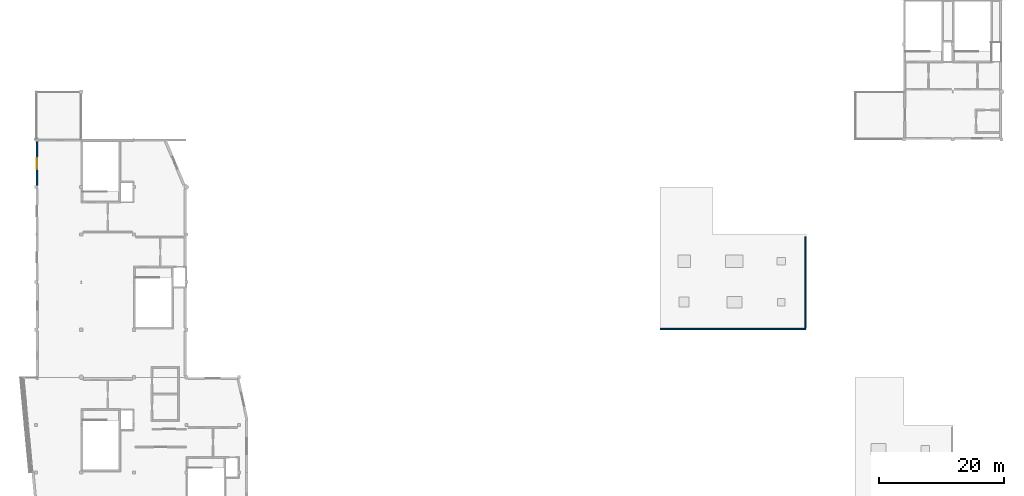
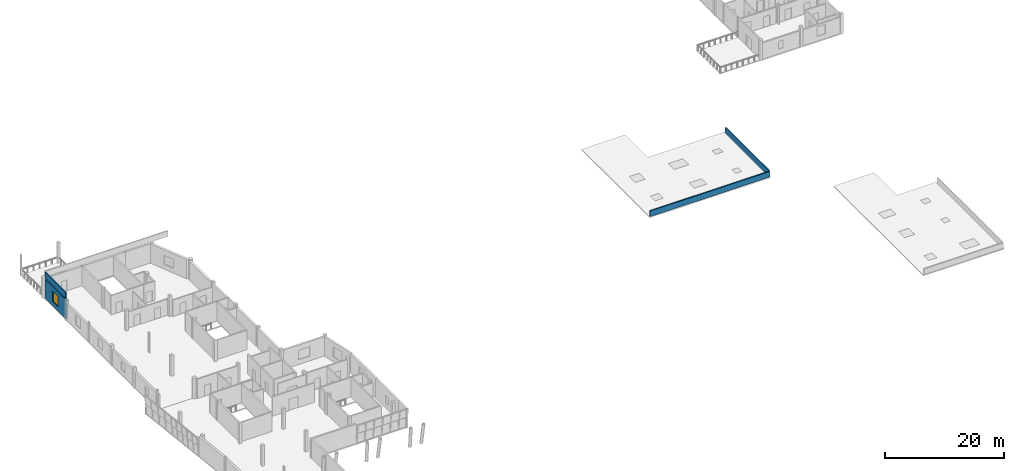
# One storey, part 13 of 17: 4 walls, 1 window, 1 opening.
"""IFC4 building model written with IfcOpenShell, lengths in metres."""

import ifcopenshell
import ifcopenshell.guid

model = None  # the IFC model being written
_history = None  # IfcOwnerHistory: only IFC2X3 demands one
_inside = {}  # id of a spatial element -> (the spatial element, [elements in it])
_under = {}  # id of a project, library or spatial element -> (it, [spatial elements below it])
_declared = {}  # id of a project -> (the project, [libraries it declares])
_typed = {}  # id of a type object -> (the type object, [elements of that type])
_made_of = {}  # id of a material, layer set ... -> (it, [elements and type objects made of it])


def new_model(schema):
    """Start an empty IFC model of exactly this schema.

    Asked for "IFC4X3", IfcOpenShell would pick the latest addendum, in which some entities
    have other attributes; the version numbers below select the first issue.
    IFC2X3 requires an IfcOwnerHistory on every rooted entity: one is made here for all.
    """
    global model, _history
    if schema == "IFC4X3":
        model = ifcopenshell.file(schema_version=(4, 3, 0, 0))
    else:
        model = ifcopenshell.file(schema=schema)
    _inside.clear()
    _under.clear()
    _declared.clear()
    _typed.clear()
    _made_of.clear()
    _history = None
    if model.schema == "IFC2X3":
        org = make("IfcOrganization", Name="unknown")
        user = make(
            "IfcPersonAndOrganization",
            ThePerson=make("IfcPerson", FamilyName="unknown"),
            TheOrganization=org,
        )
        app = make(
            "IfcApplication",
            ApplicationDeveloper=org,
            Version="unknown",
            ApplicationFullName="unknown",
            ApplicationIdentifier="unknown",
        )
        _history = make(
            "IfcOwnerHistory",
            OwningUser=user,
            OwningApplication=app,
            ChangeAction="ADDED",
            CreationDate=0,
        )
    return model


def make(cls, **values):
    """One entity of the class cls with the attributes given. An attribute that is None is left unset."""
    return model.create_entity(
        cls, **{name: value for name, value in values.items() if value is not None}
    )


def rooted(cls, **values):
    """An entity with a GlobalId (a new one), such as an element, a storey or a relation."""
    return make(cls, GlobalId=ifcopenshell.guid.new(), OwnerHistory=_history, **values)


def si_unit(unit_type, name, prefix=None):
    """IfcSIUnit, for example si_unit("LENGTHUNIT", "METRE", prefix="MILLI")."""
    return make("IfcSIUnit", UnitType=unit_type, Prefix=prefix, Name=name)


def assignment(units):
    """IfcUnitAssignment: the units of a project."""
    return None if units is None else make("IfcUnitAssignment", Units=units)


def point(xyz):
    """IfcCartesianPoint."""
    return None if xyz is None else make("IfcCartesianPoint", Coordinates=xyz)


def direction(xyz):
    """IfcDirection."""
    return None if xyz is None else make("IfcDirection", DirectionRatios=xyz)


def frame(location, z_axis=None, x_axis=None):
    """IfcAxis2Placement3D, a coordinate frame: its origin and axes. An axis left out is left unset."""
    return make(
        "IfcAxis2Placement3D",
        Location=point(location),
        Axis=direction(z_axis),
        RefDirection=direction(x_axis),
    )


def frame_2d(location, x_axis=None):
    """IfcAxis2Placement2D, a coordinate frame in the plane: its origin and x axis."""
    return make(
        "IfcAxis2Placement2D", Location=point(location), RefDirection=direction(x_axis)
    )


def origin():
    """The frame at (0, 0, 0) with its axes left unset."""
    return frame((0.0, 0.0, 0.0))


def place(relative_to, where):
    """IfcLocalPlacement: puts the frame where relative to a parent placement (None: the world)."""
    return make(
        "IfcLocalPlacement", PlacementRelTo=relative_to, RelativePlacement=where
    )


def context(
    kind, dimensions, precision=None, world=None, true_north=None, identifier=None
):
    """IfcGeometricRepresentationContext, for example the 3D "Model" context."""
    return make(
        "IfcGeometricRepresentationContext",
        ContextIdentifier=identifier,
        ContextType=kind,
        CoordinateSpaceDimension=dimensions,
        Precision=precision,
        WorldCoordinateSystem=world,
        TrueNorth=true_north,
    )


def subcontext(parent, identifier, kind, view, scale=None):
    """IfcGeometricRepresentationSubContext, for example "Body" below "Model"."""
    return make(
        "IfcGeometricRepresentationSubContext",
        ContextIdentifier=identifier,
        ContextType=kind,
        ParentContext=parent,
        TargetScale=scale,
        TargetView=view,
    )


def project(units=None, contexts=None):
    """IfcProject with its units and contexts."""
    return rooted(
        "IfcProject",
        Name="project",
        RepresentationContexts=contexts,
        UnitsInContext=assignment(units),
    )


def spatial(cls, under=None, at=None, **own):
    """A site, building, storey or space (cls), placed at a placement, below another one or the project."""
    s = rooted(cls, ObjectPlacement=at, **own)
    if under is not None:
        _under.setdefault(under.id(), (under, []))[1].append(s)
    return s


def profile(cls, at=None, kind="AREA", **sizes):
    """A parametric profile (cls). Its sizes go by their IFC names, for example OverallWidth=200.0."""
    return make(cls, ProfileType=kind, Position=at, **sizes)


def rectangle(**sizes):
    """IfcRectangleProfileDef."""
    return profile("IfcRectangleProfileDef", **sizes)


def extrude(swept, where, along, depth):
    """IfcExtrudedAreaSolid: the profile swept, set in the frame where, extruded along a direction by depth."""
    return make(
        "IfcExtrudedAreaSolid",
        SweptArea=swept,
        Position=where,
        ExtrudedDirection=direction(along),
        Depth=depth,
    )


def shape(context_of_items, identifier, shape_type, items):
    """IfcShapeRepresentation: the items that make up one representation, for example the "Body"."""
    return make(
        "IfcShapeRepresentation",
        ContextOfItems=context_of_items,
        RepresentationIdentifier=identifier,
        RepresentationType=shape_type,
        Items=items,
    )


def material(Name=None, Category=None):
    """IfcMaterial."""
    return make("IfcMaterial", Name=Name, Category=Category)


def layer(
    of_material, thickness, ventilated=None, Name=None, Category=None, Priority=None
):
    """IfcMaterialLayer: one layer of a wall or slab, of a material (None: an air gap)."""
    return make(
        "IfcMaterialLayer",
        Material=of_material,
        LayerThickness=thickness,
        IsVentilated=ventilated,
        Name=Name,
        Category=Category,
        Priority=Priority,
    )


def layer_set(layers, Name=None):
    """IfcMaterialLayerSet."""
    return make("IfcMaterialLayerSet", MaterialLayers=layers, LayerSetName=Name)


def made_of(thing, what):
    """Note that an element or type object is made of a material, layer set ...; save() writes the relation."""
    if what is not None:
        _made_of.setdefault(what.id(), (what, []))[1].append(thing)
    return thing


def type_object(cls, material=None, **own):
    """A type object (cls), such as IfcWallType, which elements share."""
    return made_of(rooted(cls, **own), material)


def element(
    cls,
    number,
    at=None,
    inside=None,
    cuts=None,
    type_object=None,
    material=None,
    context=None,
    identifier="Body",
    shape_type=None,
    held_by="IfcProductDefinitionShape",
    body=None,
    shapes=None,
    **own,
):
    """One element of the class cls, such as IfcWall. Its Tag is "e" and its number.

    at: its placement. inside: the storey or other place that contains it. cuts: it is an
    opening in that element (IfcRelVoidsElement). A single representation is given by context,
    identifier, shape_type and body (its items); several are given by shapes. held_by: the class
    of the entity that holds the representations. save() writes the other relations.
    """
    e = rooted(cls, Tag="e%d" % number, ObjectPlacement=at, **own)
    if body is not None:
        shapes = [shape(context, identifier, shape_type, body)]
    if shapes is not None:
        e.Representation = make(held_by, Representations=shapes)
    if inside is not None:
        _inside.setdefault(inside.id(), (inside, []))[1].append(e)
    if cuts is not None:
        rooted(
            "IfcRelVoidsElement", RelatingBuildingElement=cuts, RelatedOpeningElement=e
        )
    if type_object is not None:
        _typed.setdefault(type_object.id(), (type_object, []))[1].append(e)
    return made_of(e, material)


def fill(opening, filler):
    """IfcRelFillsElement: the door or window that sits in an opening."""
    return rooted(
        "IfcRelFillsElement",
        RelatingOpeningElement=opening,
        RelatedBuildingElement=filler,
    )


def aggregate(whole, parts):
    """IfcRelAggregates: a whole, such as a stair, and the parts it consists of."""
    return rooted("IfcRelAggregates", RelatingObject=whole, RelatedObjects=parts)


def save(model, path):
    """Write the relations noted so far, then the file.

    IfcRelAggregates (storeys below a building ...), IfcRelContainedInSpatialStructure (elements
    in a storey), IfcRelDefinesByType, IfcRelAssociatesMaterial and IfcRelDeclares: one each for
    every whole, place, type object, material and project.
    """
    for whole, parts in _under.values():
        aggregate(whole, parts)
    for where, things in _inside.values():
        rooted(
            "IfcRelContainedInSpatialStructure",
            RelatedElements=things,
            RelatingStructure=where,
        )
    for kind, things in _typed.values():
        rooted("IfcRelDefinesByType", RelatedObjects=things, RelatingType=kind)
    for what, things in _made_of.values():
        rooted("IfcRelAssociatesMaterial", RelatedObjects=things, RelatingMaterial=what)
    for by, libraries in _declared.values():
        rooted("IfcRelDeclares", RelatingContext=by, RelatedDefinitions=libraries)
    model.write(path)


model = new_model("IFC4")

# Units and contexts
model_context = context("Model", 3, precision=1e-05, world=origin(), true_north=direction((0.0, 1.0)))
body_context = subcontext(model_context, "Body", "Model", "MODEL_VIEW")
ifc_project = project(units=[si_unit("LENGTHUNIT", "METRE"), si_unit("AREAUNIT", "SQUARE_METRE"), si_unit("VOLUMEUNIT", "CUBIC_METRE"), si_unit("PLANEANGLEUNIT", "RADIAN"), si_unit("MASSUNIT", "GRAM", prefix="KILO")], contexts=[model_context])

# Site, building, storey
site_placement = place(None, origin())
site = spatial("IfcSite", under=ifc_project, at=site_placement, CompositionType="ELEMENT")
building_placement = place(site_placement, origin())
building = spatial("IfcBuilding", under=site, at=building_placement, Name="Xicomal Pleat Aquarium", CompositionType="ELEMENT")
storey_placement = place(building_placement, frame((0.0, 0.0, 19.800048828125)))
storey = spatial("IfcBuildingStorey", under=building, at=storey_placement, Name="L05", CompositionType="ELEMENT", Elevation=19.800048828125)

# Wall, opening, window
ifc_material_1 = material(Name="Precast concrete C40/50", Category="concrete")
ifc_layer_1 = layer(ifc_material_1, 0.300048828125)
ifc_layer_set_1 = layer_set([ifc_layer_1], Name="Precast concrete C40/50")
wall_type_1 = type_object("IfcWallType", Name="WAL-EXT-PRC-300", PredefinedType="SOLIDWALL", material=ifc_layer_set_1)
wall_1_placement = place(storey_placement, frame((3.14990234375, 68.635009765625, 0.0), z_axis=(0.0, 0.0, 1.0), x_axis=(0.0, 1.0, 0.0)))
wall_1 = element("IfcWall", 1, at=wall_1_placement, inside=storey, type_object=wall_type_1, Name="L05 exterior basalt-precast wall EW-L05-030", PredefinedType="SOLIDWALL", context=body_context, shape_type="SweptSolid", body=[
    extrude(rectangle(XDim=7.0048828125, YDim=0.300048828125, at=frame_2d((3.50244140625, 0.0))), origin(), (0.0, 0.0, 1.0), 3.9599609375),
])
opening_placement = place(wall_1_placement, frame((2.626953125, 0.0, 0.949951171875)))
opening = element("IfcOpeningElement", 2, at=opening_placement, cuts=wall_1, Name="Opening WN-19", PredefinedType="OPENING", context=body_context, shape_type="SweptSolid", body=[
    extrude(rectangle(XDim=1.75, YDim=2.14990234375, at=frame_2d((0.875, 1.074951171875))), frame((0.0, 0.159912109375, 0.0), z_axis=(0.0, -1.0, 0.0), x_axis=(1.0, 0.0, 0.0)), (0.0, 0.0, 1.0), 0.320068359375),
])
ifc_material_2 = material(Name="Insulated low-E laminated glass", Category="glass")
window_type = type_object("IfcWindowType", Name="WIN-EXT-1750x2150", PartitioningType="SINGLE_PANEL", PredefinedType="WINDOW", material=ifc_material_2)
window_placement = place(opening_placement, origin())
window = element("IfcWindow", 3, at=window_placement, inside=storey, type_object=window_type, Name="L05 thermally broken low-E window 91", OverallHeight=2.14990234375, OverallWidth=1.75, PartitioningType="SINGLE_PANEL", PredefinedType="WINDOW", context=body_context, shape_type="SweptSolid", body=[
    extrude(rectangle(XDim=1.75, YDim=2.14990234375, at=frame_2d((0.875, 1.074951171875))), frame((0.0, 0.030029296875, 0.0), z_axis=(0.0, -1.0, 0.0), x_axis=(1.0, 0.0, 0.0)), (0.0, 0.0, 1.0), 0.06005859375),
])
fill(opening, window)

# Walls
ifc_material_3 = material(Name="Precast concrete C40/50", Category="concrete")
ifc_layer_2 = layer(ifc_material_3, 0.219970703125)
ifc_layer_set_2 = layer_set([ifc_layer_2], Name="Precast concrete C40/50")
wall_type_2 = type_object("IfcWallType", Name="WAL-PAR-220", PredefinedType="PARAPET", material=ifc_layer_set_2)
wall_2_placement = place(storey_placement, frame((102.7099609375, 45.7099609375, 0.0), z_axis=(0.0, 0.0, 1.0), x_axis=(1.0, 0.0, 0.0)))
element("IfcWall", 4, at=wall_2_placement, inside=storey, type_object=wall_type_2, Name="L05 roof perimeter parapet PW-L05-V4-S", PredefinedType="PARAPET", context=body_context, shape_type="SweptSolid", body=[
    extrude(rectangle(XDim=23.179931640625, YDim=0.219970703125, at=frame_2d((11.58984375, 0.0))), origin(), (0.0, 0.0, 1.0), 1.14990234375),
])
wall_3_placement = place(storey_placement, frame((125.889892578125, 45.949951171875, 0.0), z_axis=(0.0, 0.0, 1.0), x_axis=(0.0, 1.0, 0.0)))
element("IfcWall", 5, at=wall_3_placement, inside=storey, type_object=wall_type_2, Name="L05 roof perimeter parapet PW-L05-V4-E", PredefinedType="PARAPET", context=body_context, shape_type="SweptSolid", body=[
    extrude(rectangle(XDim=14.5, YDim=0.219970703125, at=frame_2d((7.25, 0.0))), origin(), (0.0, 0.0, 1.0), 1.14990234375),
])
wall_4_placement = place(storey_placement, frame((3.110107421875, 68.75, 4.199951171875), z_axis=(0.0, 0.0, 1.0), x_axis=(0.0, 1.0, 0.0)))
element("IfcWall", 6, at=wall_4_placement, inside=storey, type_object=wall_type_2, Name="L05 roof perimeter parapet PW-RF-W-W", PredefinedType="PARAPET", context=body_context, shape_type="SweptSolid", body=[
    extrude(rectangle(XDim=6.89990234375, YDim=0.219970703125, at=frame_2d((3.449951171875, 0.0))), origin(), (0.0, 0.0, 1.0), 1.14990234375),
])

save(model, "model.ifc")
